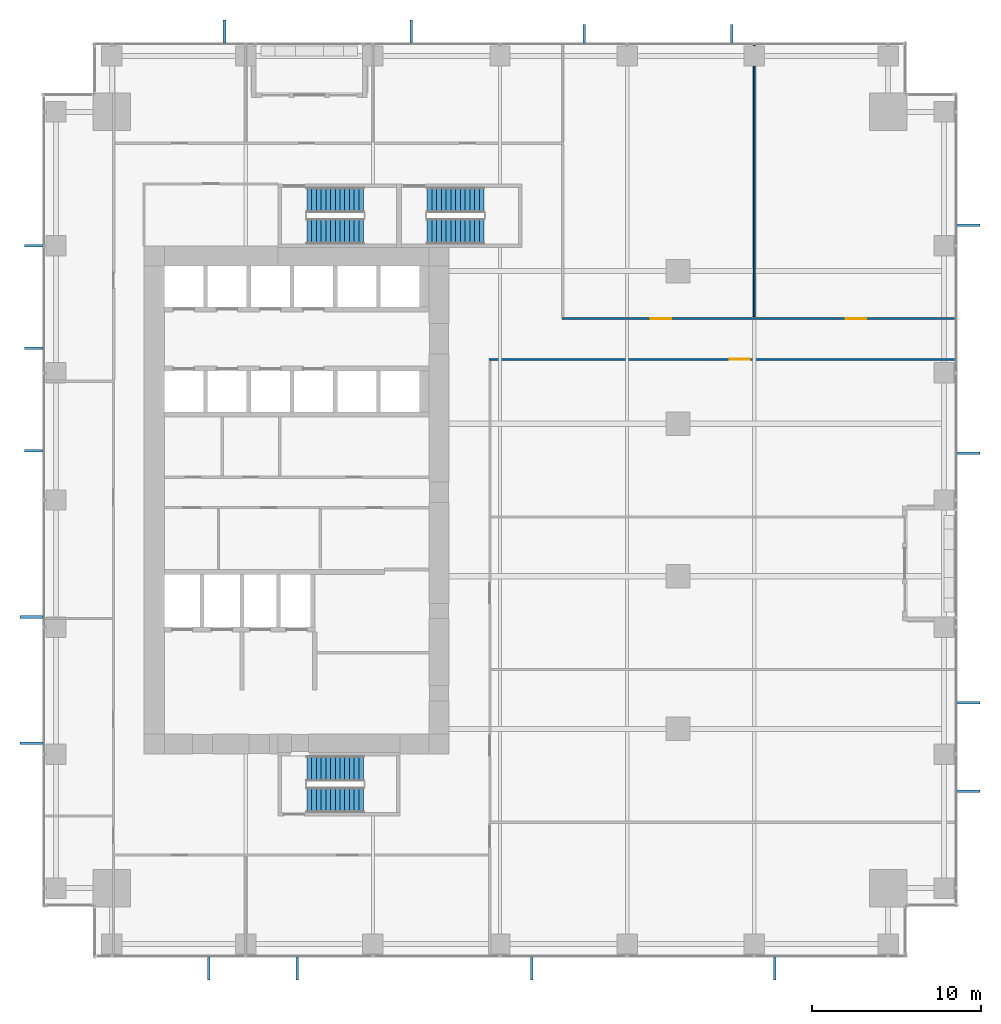
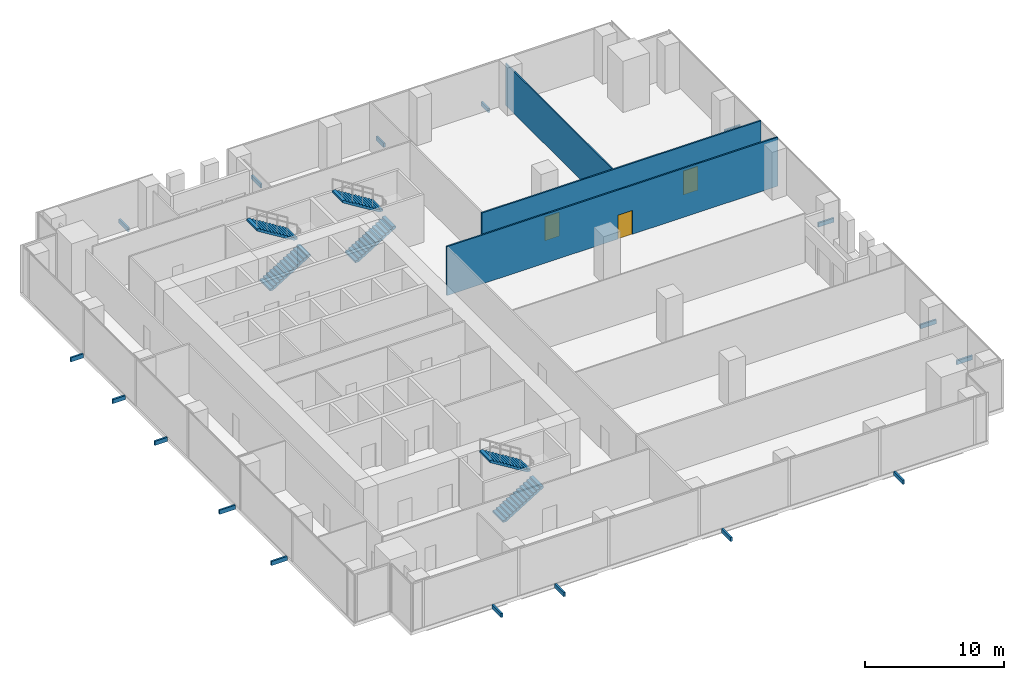
# One storey, part 29 of 32: 17 discrete accessories, 6 stair flights, 3 doors, 3 walls, 3 openings, 3 elements without a shape of their own.
"""IFC4 building model written with IfcOpenShell, lengths in metres."""

from ifc_helpers import new_model, si_unit, direction, frame, frame_2d, origin, origin_2d, place, context, subcontext, project, spatial, polyline, rectangle, outline, extrude, source, transform, mapped, material, layer, layer_set, type_object, element, fill, aggregate, save


model = new_model("IFC4")

# Units and contexts
model_context = context("Model", 3, precision=1e-05, world=origin(), true_north=direction((0.0, 1.0)))
body_context = subcontext(model_context, "Body", "Model", "MODEL_VIEW")
ifc_project = project(units=[si_unit("LENGTHUNIT", "METRE"), si_unit("AREAUNIT", "SQUARE_METRE"), si_unit("VOLUMEUNIT", "CUBIC_METRE"), si_unit("PLANEANGLEUNIT", "RADIAN"), si_unit("MASSUNIT", "GRAM", prefix="KILO")], contexts=[model_context])

# Site, building, storey
site_placement = place(None, origin())
site = spatial("IfcSite", under=ifc_project, at=site_placement, CompositionType="ELEMENT")
building_placement = place(site_placement, origin())
building = spatial("IfcBuilding", under=site, at=building_placement, Name="Khomas Fold Tower", CompositionType="ELEMENT")
storey_placement = place(building_placement, frame((0.0, 0.0, 42.0)))
storey = spatial("IfcBuildingStorey", under=building, at=storey_placement, Name="L08", CompositionType="ELEMENT", Elevation=42.0)

# Wall, opening, door
ifc_material_1 = material(Name="Plasterboard partition")
ifc_layer_1 = layer(ifc_material_1, 0.125)
ifc_layer_set_1 = layer_set([ifc_layer_1], Name="Plasterboard partition")
wall_type_1 = type_object("IfcWallType", Name="Partition PW2 125", PredefinedType="PARTITIONING", material=ifc_layer_set_1)
shared_shape_1 = source(origin(), body_context, "Body", "SweptSolid", [
    extrude(rectangle(XDim=27.5, YDim=0.125, at=frame_2d((13.75, 0.0))), origin(), (0.0, 0.0, 1.0), 4.300048828125),
])
wall_1_placement = place(storey_placement, frame((26.35009765625, 35.300048828125, 0.0), z_axis=(0.0, 0.0, 1.0), x_axis=(1.0, 0.0, 0.0)))
wall_1 = element("IfcWall", 1, at=wall_1_placement, inside=storey, type_object=wall_type_1, Name="Partition", PredefinedType="PARTITIONING", context=body_context, shape_type="MappedRepresentation", body=[
    mapped(shared_shape_1, transform((0.0, 0.0, 0.0))),
])
shared_shape_2 = source(origin(), body_context, "Body", "SweptSolid", [
    extrude(rectangle(XDim=1.199951171875, YDim=2.10009765625, at=frame_2d((0.60009765625, 1.050048828125))), frame((0.0, 0.072509765625, 0.0), z_axis=(0.0, -1.0, 0.0), x_axis=(1.0, 0.0, 0.0)), (0.0, 0.0, 1.0), 0.14501953125),
])
opening_1_placement = place(wall_1_placement, frame((14.199951171875, 0.0, 0.0)))
opening_1 = element("IfcOpeningElement", 2, at=opening_1_placement, cuts=wall_1, Name="Opening 0001", PredefinedType="OPENING", context=body_context, shape_type="MappedRepresentation", body=[
    mapped(shared_shape_2, transform((0.0, 0.0, 0.0))),
])
ifc_material_2 = material(Name="Timber door leaf", Category="wood")
door_type_1 = type_object("IfcDoorType", Name="Door 1200x2100 right-hand", OperationType="SINGLE_SWING_RIGHT", PredefinedType="DOOR", material=ifc_material_2)
shared_shape_3 = source(origin(), body_context, "Body", "SweptSolid", [
    extrude(rectangle(XDim=1.199951171875, YDim=2.10009765625, at=frame_2d((0.60009765625, 1.050048828125))), frame((0.0, 0.02490234375, 0.0), z_axis=(0.0, -1.0, 0.0), x_axis=(1.0, 0.0, 0.0)), (0.0, 0.0, 1.0), 0.050048828125),
])
door_1_placement = place(opening_1_placement, origin())
door_1 = element("IfcDoor", 3, at=door_1_placement, inside=storey, type_object=door_type_1, Name="Door", OperationType="SINGLE_SWING_RIGHT", OverallHeight=2.10009765625, OverallWidth=1.199951171875, PredefinedType="DOOR", context=body_context, shape_type="MappedRepresentation", body=[
    mapped(shared_shape_3, transform((0.0, 0.0, 0.0))),
])
fill(opening_1, door_1)

# Wall, openings, doors
shared_shape_4 = source(origin(), body_context, "Body", "SweptSolid", [
    extrude(rectangle(XDim=23.2001953125, YDim=0.125, at=frame_2d((11.60009765625, 0.0))), origin(), (0.0, 0.0, 1.0), 4.300048828125),
])
wall_2_placement = place(storey_placement, frame((30.64990234375, 37.699951171875, 0.0), z_axis=(0.0, 0.0, 1.0), x_axis=(1.0, 0.0, 0.0)))
wall_2 = element("IfcWall", 4, at=wall_2_placement, inside=storey, type_object=wall_type_1, Name="Partition", PredefinedType="PARTITIONING", context=body_context, shape_type="MappedRepresentation", body=[
    mapped(shared_shape_4, transform((0.0, 0.0, 0.0))),
])
opening_2_placement = place(wall_2_placement, frame((5.25, 0.0, 0.0)))
opening_2 = element("IfcOpeningElement", 5, at=opening_2_placement, cuts=wall_2, Name="Opening 0013", PredefinedType="OPENING", context=body_context, shape_type="MappedRepresentation", body=[
    mapped(shared_shape_2, transform((0.0, 0.0, 0.0))),
])
opening_3_placement = place(wall_2_placement, frame((16.75, 0.0, 0.0)))
opening_3 = element("IfcOpeningElement", 6, at=opening_3_placement, cuts=wall_2, Name="Opening 0013", PredefinedType="OPENING", context=body_context, shape_type="MappedRepresentation", body=[
    mapped(shared_shape_2, transform((0.0, 0.0, 0.0))),
])
ifc_material_3 = material(Name="Timber door leaf", Category="wood")
door_type_2 = type_object("IfcDoorType", Name="Door 1200x2100 left-hand", OperationType="SINGLE_SWING_LEFT", PredefinedType="DOOR", material=ifc_material_3)
door_2_placement = place(opening_2_placement, origin())
door_2 = element("IfcDoor", 7, at=door_2_placement, inside=storey, type_object=door_type_2, Name="Door", OperationType="SINGLE_SWING_LEFT", OverallHeight=2.10009765625, OverallWidth=1.199951171875, PredefinedType="DOOR", context=body_context, shape_type="MappedRepresentation", body=[
    mapped(shared_shape_3, transform((0.0, 0.0, 0.0))),
])
fill(opening_2, door_2)
door_3_placement = place(opening_3_placement, origin())
door_3 = element("IfcDoor", 8, at=door_3_placement, inside=storey, type_object=door_type_2, Name="Door", OperationType="SINGLE_SWING_LEFT", OverallHeight=2.10009765625, OverallWidth=1.199951171875, PredefinedType="DOOR", context=body_context, shape_type="MappedRepresentation", body=[
    mapped(shared_shape_3, transform((0.0, 0.0, 0.0))),
])
fill(opening_3, door_3)

# Wall
ifc_material_4 = material(Name="Plasterboard partition")
ifc_layer_2 = layer(ifc_material_4, 0.10009765625)
ifc_layer_set_2 = layer_set([ifc_layer_2], Name="Plasterboard partition")
wall_type_2 = type_object("IfcWallType", Name="Partition PW1 100", PredefinedType="PARTITIONING", material=ifc_layer_set_2)
shared_shape_5 = source(origin(), body_context, "Body", "SweptSolid", [
    extrude(rectangle(XDim=16.050048828125, YDim=0.10009765625, at=frame_2d((8.02490234375, 0.0))), origin(), (0.0, 0.0, 1.0), 3.699951171875),
])
wall_3_placement = place(storey_placement, frame((42.0, 37.800048828125, 0.0), z_axis=(0.0, 0.0, 1.0), x_axis=(0.0, 1.0, 0.0)))
element("IfcWall", 9, at=wall_3_placement, inside=storey, type_object=wall_type_2, Name="Partition", PredefinedType="PARTITIONING", context=body_context, shape_type="MappedRepresentation", body=[
    mapped(shared_shape_5, transform((0.0, 0.0, 0.0))),
])

# Stair, stair flights
ifc_material_5 = material(Name="Concrete C40/50", Category="concrete")
stair_type_1 = type_object("IfcStairType", Name="Stair ST1", PredefinedType="HALF_TURN_STAIR", material=ifc_material_5)
stair_1_placement = place(storey_placement, origin())
stair_1 = element("IfcStair", 10, at=stair_1_placement, inside=storey, type_object=stair_type_1, Name="L08 ST1", PredefinedType="HALF_TURN_STAIR")
ifc_material_6 = material(Name="Concrete C40/50", Category="concrete")
stair_flight_type_1 = type_object("IfcStairFlightType", Name="Stair flight 1500 ST1", PredefinedType="STRAIGHT", material=ifc_material_6)
shared_shape_6 = source(origin(), body_context, "Body", "SweptSolid", [
    extrude(outline(polyline([(0.0, 0.0), (0.0, 0.013427734375), (0.0, 0.026611328125), (0.0, 0.0400390625), (0.0, 0.05322265625), (0.0, 0.066650390625), (0.0, 0.079833984375), (0.0, 0.09326171875), (0.0, 0.1064453125), (0.0, 0.119873046875), (0.0, 0.133056640625), (0.0, 0.146484375), (0.0, 0.15966796875), (0.0, 0.173095703125), (0.280029296875, 0.173095703125), (0.280029296875, 0.34619140625), (0.56005859375, 0.34619140625), (0.56005859375, 0.519287109375), (0.840087890625, 0.519287109375), (0.840087890625, 0.6923828125), (1.1201171875, 0.6923828125), (1.1201171875, 0.865478515625), (1.39990234375, 0.865478515625), (1.39990234375, 1.03857421875), (1.679931640625, 1.03857421875), (1.679931640625, 1.21142578125), (1.9599609375, 1.21142578125), (1.9599609375, 1.384521484375), (2.239990234375, 1.384521484375), (2.239990234375, 1.5576171875), (2.52001953125, 1.5576171875), (2.52001953125, 1.730712890625), (2.800048828125, 1.730712890625), (2.800048828125, 1.90380859375), (3.080078125, 1.90380859375), (3.080078125, 2.076904296875), (3.360107421875, 2.076904296875), (3.360107421875, 2.25), (3.360107421875, 2.22314453125), (3.360107421875, 2.1962890625), (3.360107421875, 2.16943359375), (3.360107421875, 2.142578125), (3.360107421875, 2.11572265625), (3.360107421875, 2.0888671875), (3.360107421875, 2.06201171875), (3.360107421875, 2.03515625), (3.360107421875, 2.008056640625), (3.360107421875, 1.981201171875), (3.360107421875, 1.954345703125), (3.360107421875, 1.927490234375), (3.360107421875, 1.900634765625), (0.28515625, 0.0), (0.0, 0.0)])), frame((0.0, 0.75, 0.0), z_axis=(0.0, -1.0, 0.0), x_axis=(1.0, 0.0, 0.0)), (0.0, 0.0, 1.0), 1.5),
])
stair_flight_1_placement = place(storey_placement, frame((15.60009765625, 42.85009765625, 0.0), z_axis=(0.0, 0.0, 1.0), x_axis=(1.0, 0.0, 0.0)))
stair_flight_1 = element("IfcStairFlight", 11, at=stair_flight_1_placement, type_object=stair_flight_type_1, Name="ST1 flight 1", NumberOfRisers=13, NumberOfTreads=12, PredefinedType="STRAIGHT", RiserHeight=0.173076923, TreadLength=0.28, context=body_context, shape_type="MappedRepresentation", body=[
    mapped(shared_shape_6, transform((0.0, 0.0, 0.0))),
])
stair_flight_2_placement = place(storey_placement, frame((18.9599609375, 44.699951171875, 2.25), z_axis=(0.0, 0.0, 1.0), x_axis=(-1.0, 0.0, 0.0)))
stair_flight_2 = element("IfcStairFlight", 12, at=stair_flight_2_placement, type_object=stair_flight_type_1, Name="ST1 flight 2", NumberOfRisers=13, NumberOfTreads=12, PredefinedType="STRAIGHT", RiserHeight=0.173076923, TreadLength=0.28, context=body_context, shape_type="MappedRepresentation", body=[
    mapped(shared_shape_6, transform((0.0, 0.0, 0.0))),
])
aggregate(stair_1, [stair_flight_1, stair_flight_2])

ifc_material_7 = material(Name="Concrete C40/50", Category="concrete")
stair_type_2 = type_object("IfcStairType", Name="Stair ST2", PredefinedType="HALF_TURN_STAIR", material=ifc_material_7)
stair_2_placement = place(storey_placement, origin())
stair_2 = element("IfcStair", 13, at=stair_2_placement, inside=storey, type_object=stair_type_2, Name="L08 ST2", PredefinedType="HALF_TURN_STAIR")
ifc_material_8 = material(Name="Concrete C40/50", Category="concrete")
stair_flight_type_2 = type_object("IfcStairFlightType", Name="Stair flight 1500 ST2", PredefinedType="STRAIGHT", material=ifc_material_8)
stair_flight_3_placement = place(storey_placement, frame((15.60009765625, 9.300048828125, 0.0), z_axis=(0.0, 0.0, 1.0), x_axis=(1.0, 0.0, 0.0)))
stair_flight_3 = element("IfcStairFlight", 14, at=stair_flight_3_placement, type_object=stair_flight_type_2, Name="ST2 flight 1", NumberOfRisers=13, NumberOfTreads=12, PredefinedType="STRAIGHT", RiserHeight=0.173076923, TreadLength=0.28, context=body_context, shape_type="MappedRepresentation", body=[
    mapped(shared_shape_6, transform((0.0, 0.0, 0.0))),
])
stair_flight_4_placement = place(storey_placement, frame((18.9599609375, 11.14990234375, 2.25), z_axis=(0.0, 0.0, 1.0), x_axis=(-1.0, 0.0, 0.0)))
stair_flight_4 = element("IfcStairFlight", 15, at=stair_flight_4_placement, type_object=stair_flight_type_2, Name="ST2 flight 2", NumberOfRisers=13, NumberOfTreads=12, PredefinedType="STRAIGHT", RiserHeight=0.173076923, TreadLength=0.28, context=body_context, shape_type="MappedRepresentation", body=[
    mapped(shared_shape_6, transform((0.0, 0.0, 0.0))),
])
aggregate(stair_2, [stair_flight_3, stair_flight_4])

ifc_material_9 = material(Name="Concrete C40/50", Category="concrete")
stair_type_3 = type_object("IfcStairType", Name="Stair ST3", PredefinedType="HALF_TURN_STAIR", material=ifc_material_9)
stair_3_placement = place(storey_placement, origin())
stair_3 = element("IfcStair", 16, at=stair_3_placement, inside=storey, type_object=stair_type_3, Name="L08 ST3", PredefinedType="HALF_TURN_STAIR")
ifc_material_10 = material(Name="Concrete C40/50", Category="concrete")
stair_flight_type_3 = type_object("IfcStairFlightType", Name="Stair flight 1500 ST3", PredefinedType="STRAIGHT", material=ifc_material_10)
stair_flight_5_placement = place(storey_placement, frame((22.699951171875, 42.85009765625, 0.0), z_axis=(0.0, 0.0, 1.0), x_axis=(1.0, 0.0, 0.0)))
stair_flight_5 = element("IfcStairFlight", 17, at=stair_flight_5_placement, type_object=stair_flight_type_3, Name="ST3 flight 1", NumberOfRisers=13, NumberOfTreads=12, PredefinedType="STRAIGHT", RiserHeight=0.173076923, TreadLength=0.28, context=body_context, shape_type="MappedRepresentation", body=[
    mapped(shared_shape_6, transform((0.0, 0.0, 0.0))),
])
stair_flight_6_placement = place(storey_placement, frame((26.06005859375, 44.699951171875, 2.25), z_axis=(0.0, 0.0, 1.0), x_axis=(-1.0, 0.0, 0.0)))
stair_flight_6 = element("IfcStairFlight", 18, at=stair_flight_6_placement, type_object=stair_flight_type_3, Name="ST3 flight 2", NumberOfRisers=13, NumberOfTreads=12, PredefinedType="STRAIGHT", RiserHeight=0.173076923, TreadLength=0.28, context=body_context, shape_type="MappedRepresentation", body=[
    mapped(shared_shape_6, transform((0.0, 0.0, 0.0))),
])
aggregate(stair_3, [stair_flight_5, stair_flight_6])

# Discrete accessories
ifc_material_11 = material(Name="Stainless steel", Category="steel")
discrete_accessory_type = type_object("IfcDiscreteAccessoryType", Name="SK-Stainless steel stone bracket", PredefinedType="BRACKET", material=ifc_material_11)
shared_shape_7 = source(origin(), body_context, "Body", "SweptSolid", [
    extrude(rectangle(XDim=1.320556640625, YDim=0.14990234375, at=origin_2d()), origin(), (0.0, 0.0, 1.0), 0.360107421875),
])
for number, where, z_axis, x_axis, name in (
    (19, (9.809814453125, -0.66015625, -0.30029296875), (0.0, 0.0, 1.0), (0.0, -1.0, 0.0), "Stone bracket L08 SS03-1-5"),
    (20, (15.029296875, -0.66015625, -0.30029296875), (0.0, 0.0, 1.0), (0.0, -1.0, 0.0), "Stone bracket L08 SS03-1-6"),
    (21, (28.877685546875, -0.66015625, -0.30029296875), (0.0, 0.0, 1.0), (0.0, -1.0, 0.0), "Stone bracket L08 SS06-2-3"),
    (22, (43.208740234375, -0.66015625, -0.30029296875), (0.0, 0.0, 1.0), (0.0, -1.0, 0.0), "Stone bracket L08 SS09-3-3"),
    (23, (54.66015625, 9.809814453125, -0.30029296875), (0.0, 0.0, 1.0), (1.0, 0.0, 0.0), "Stone bracket L08 ES03-1-5"),
    (24, (54.66015625, 15.029296875, -0.30029296875), (0.0, 0.0, 1.0), (1.0, 0.0, 0.0), "Stone bracket L08 ES03-1-6"),
    (25, (54.66015625, 29.749755859375, -0.30029296875), (0.0, 0.0, 1.0), (1.0, 0.0, 0.0), "Stone bracket L08 ES06-2-3"),
    (26, (54.66015625, 43.208740234375, -0.30029296875), (0.0, 0.0, 1.0), (1.0, 0.0, 0.0), "Stone bracket L08 ES09-3-3"),
    (27, (21.755126953125, 54.66015625, -0.30029296875), (0.0, 0.0, 1.0), (0.0, 1.0, 0.0), "Stone bracket L08 NS05-1-3"),
    (28, (10.744873046875, 54.66015625, -0.30029296875), (0.0, 0.0, 1.0), (0.0, 1.0, 0.0), "Stone bracket L08 NS05-2-3"),
    (29, (-0.66015625, 12.65869140625, -0.30029296875), (0.0, 0.0, 1.0), (-1.0, 0.0, 0.0), "Stone bracket L08 WS05-1-5"),
    (30, (-0.66015625, 20.096435546875, -0.30029296875), (0.0, 0.0, 1.0), (-1.0, 0.0, 0.0), "Stone bracket L08 WS05-1-6"),
):
    element("IfcDiscreteAccessory", number, at=place(storey_placement, frame(where, z_axis=z_axis, x_axis=x_axis)), inside=storey, type_object=discrete_accessory_type, Name=name, PredefinedType="BRACKET", context=body_context, shape_type="MappedRepresentation", body=[
        mapped(shared_shape_7, transform((0.0, 0.0, 0.0))),
    ])
shared_shape_8 = source(origin(), body_context, "Body", "SweptSolid", [
    extrude(rectangle(XDim=1.043701171875, YDim=0.14990234375, at=origin_2d()), origin(), (0.0, 0.0, 1.0), 0.360107421875),
])
for number, where, z_axis, x_axis, name in (
    (31, (31.984130859375, 54.521728515625, -0.30029296875), (0.0, 0.0, 1.0), (0.0, 1.0, 0.0), "Stone bracket L08 NS08-3-7"),
    (32, (40.678955078125, 54.521728515625, -0.30029296875), (0.0, 0.0, 1.0), (0.0, 1.0, 0.0), "Stone bracket L08 NS08-3-8"),
    (33, (-0.521728515625, 29.914306640625, -0.30029296875), (0.0, 0.0, 1.0), (-1.0, 0.0, 0.0), "Stone bracket L08 WS08-2-7"),
    (34, (-0.521728515625, 35.959228515625, -0.30029296875), (0.0, 0.0, 1.0), (-1.0, 0.0, 0.0), "Stone bracket L08 WS08-2-8"),
    (35, (-0.521728515625, 42.00390625, -0.30029296875), (0.0, 0.0, 1.0), (-1.0, 0.0, 0.0), "Stone bracket L08 WS08-2-9"),
):
    element("IfcDiscreteAccessory", number, at=place(storey_placement, frame(where, z_axis=z_axis, x_axis=x_axis)), inside=storey, type_object=discrete_accessory_type, Name=name, PredefinedType="BRACKET", context=body_context, shape_type="MappedRepresentation", body=[
        mapped(shared_shape_8, transform((0.0, 0.0, 0.0))),
    ])

save(model, "model.ifc")
